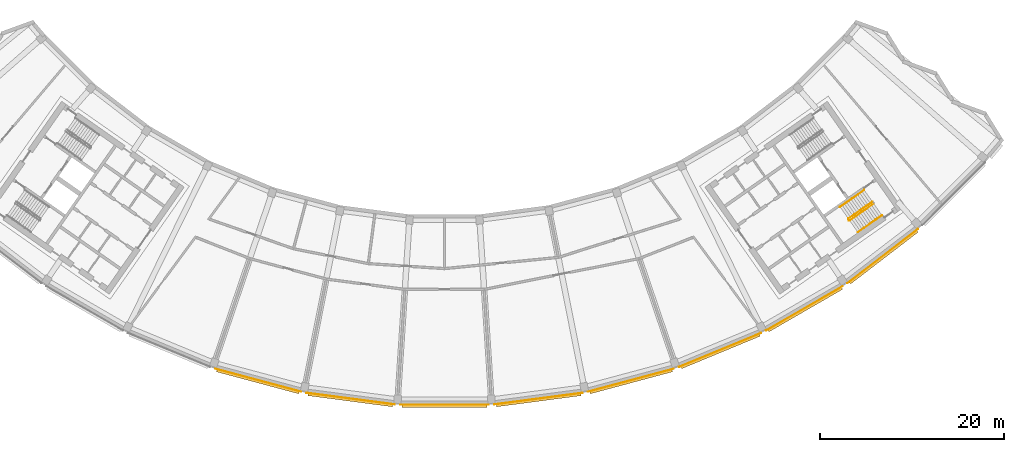
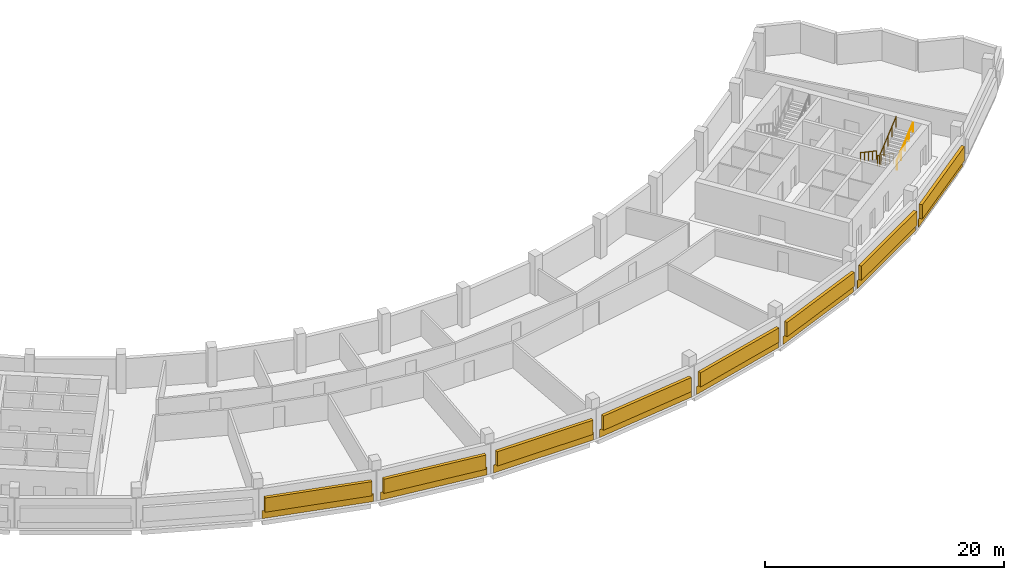
# One storey, part 10 of 11: 8 coverings, 8 shading devices, 4 railings.
"""IFC4 building model written with IfcOpenShell, lengths in metres."""

import ifcopenshell
import ifcopenshell.guid

model = None  # the IFC model being written
_history = None  # IfcOwnerHistory: only IFC2X3 demands one
_inside = {}  # id of a spatial element -> (the spatial element, [elements in it])
_under = {}  # id of a project, library or spatial element -> (it, [spatial elements below it])
_declared = {}  # id of a project -> (the project, [libraries it declares])
_typed = {}  # id of a type object -> (the type object, [elements of that type])
_made_of = {}  # id of a material, layer set ... -> (it, [elements and type objects made of it])


def new_model(schema):
    """Start an empty IFC model of exactly this schema.

    Asked for "IFC4X3", IfcOpenShell would pick the latest addendum, in which some entities
    have other attributes; the version numbers below select the first issue.
    IFC2X3 requires an IfcOwnerHistory on every rooted entity: one is made here for all.
    """
    global model, _history
    if schema == "IFC4X3":
        model = ifcopenshell.file(schema_version=(4, 3, 0, 0))
    else:
        model = ifcopenshell.file(schema=schema)
    _inside.clear()
    _under.clear()
    _declared.clear()
    _typed.clear()
    _made_of.clear()
    _history = None
    if model.schema == "IFC2X3":
        org = make("IfcOrganization", Name="unknown")
        user = make(
            "IfcPersonAndOrganization",
            ThePerson=make("IfcPerson", FamilyName="unknown"),
            TheOrganization=org,
        )
        app = make(
            "IfcApplication",
            ApplicationDeveloper=org,
            Version="unknown",
            ApplicationFullName="unknown",
            ApplicationIdentifier="unknown",
        )
        _history = make(
            "IfcOwnerHistory",
            OwningUser=user,
            OwningApplication=app,
            ChangeAction="ADDED",
            CreationDate=0,
        )
    return model


def make(cls, **values):
    """One entity of the class cls with the attributes given. An attribute that is None is left unset."""
    return model.create_entity(
        cls, **{name: value for name, value in values.items() if value is not None}
    )


def rooted(cls, **values):
    """An entity with a GlobalId (a new one), such as an element, a storey or a relation."""
    return make(cls, GlobalId=ifcopenshell.guid.new(), OwnerHistory=_history, **values)


def si_unit(unit_type, name, prefix=None):
    """IfcSIUnit, for example si_unit("LENGTHUNIT", "METRE", prefix="MILLI")."""
    return make("IfcSIUnit", UnitType=unit_type, Prefix=prefix, Name=name)


def assignment(units):
    """IfcUnitAssignment: the units of a project."""
    return None if units is None else make("IfcUnitAssignment", Units=units)


def point(xyz):
    """IfcCartesianPoint."""
    return None if xyz is None else make("IfcCartesianPoint", Coordinates=xyz)


def direction(xyz):
    """IfcDirection."""
    return None if xyz is None else make("IfcDirection", DirectionRatios=xyz)


def frame(location, z_axis=None, x_axis=None):
    """IfcAxis2Placement3D, a coordinate frame: its origin and axes. An axis left out is left unset."""
    return make(
        "IfcAxis2Placement3D",
        Location=point(location),
        Axis=direction(z_axis),
        RefDirection=direction(x_axis),
    )


def frame_2d(location, x_axis=None):
    """IfcAxis2Placement2D, a coordinate frame in the plane: its origin and x axis."""
    return make(
        "IfcAxis2Placement2D", Location=point(location), RefDirection=direction(x_axis)
    )


def origin():
    """The frame at (0, 0, 0) with its axes left unset."""
    return frame((0.0, 0.0, 0.0))


def origin_2d():
    """The frame at (0, 0) in the plane with its x axis left unset."""
    return frame_2d((0.0, 0.0))


def place(relative_to, where):
    """IfcLocalPlacement: puts the frame where relative to a parent placement (None: the world)."""
    return make(
        "IfcLocalPlacement", PlacementRelTo=relative_to, RelativePlacement=where
    )


def context(
    kind, dimensions, precision=None, world=None, true_north=None, identifier=None
):
    """IfcGeometricRepresentationContext, for example the 3D "Model" context."""
    return make(
        "IfcGeometricRepresentationContext",
        ContextIdentifier=identifier,
        ContextType=kind,
        CoordinateSpaceDimension=dimensions,
        Precision=precision,
        WorldCoordinateSystem=world,
        TrueNorth=true_north,
    )


def subcontext(parent, identifier, kind, view, scale=None):
    """IfcGeometricRepresentationSubContext, for example "Body" below "Model"."""
    return make(
        "IfcGeometricRepresentationSubContext",
        ContextIdentifier=identifier,
        ContextType=kind,
        ParentContext=parent,
        TargetScale=scale,
        TargetView=view,
    )


def project(units=None, contexts=None):
    """IfcProject with its units and contexts."""
    return rooted(
        "IfcProject",
        Name="project",
        RepresentationContexts=contexts,
        UnitsInContext=assignment(units),
    )


def spatial(cls, under=None, at=None, **own):
    """A site, building, storey or space (cls), placed at a placement, below another one or the project."""
    s = rooted(cls, ObjectPlacement=at, **own)
    if under is not None:
        _under.setdefault(under.id(), (under, []))[1].append(s)
    return s


def profile(cls, at=None, kind="AREA", **sizes):
    """A parametric profile (cls). Its sizes go by their IFC names, for example OverallWidth=200.0."""
    return make(cls, ProfileType=kind, Position=at, **sizes)


def rectangle(**sizes):
    """IfcRectangleProfileDef."""
    return profile("IfcRectangleProfileDef", **sizes)


def circle(**sizes):
    """IfcCircleProfileDef."""
    return profile("IfcCircleProfileDef", **sizes)


def extrude(swept, where, along, depth):
    """IfcExtrudedAreaSolid: the profile swept, set in the frame where, extruded along a direction by depth."""
    return make(
        "IfcExtrudedAreaSolid",
        SweptArea=swept,
        Position=where,
        ExtrudedDirection=direction(along),
        Depth=depth,
    )


def shape(context_of_items, identifier, shape_type, items):
    """IfcShapeRepresentation: the items that make up one representation, for example the "Body"."""
    return make(
        "IfcShapeRepresentation",
        ContextOfItems=context_of_items,
        RepresentationIdentifier=identifier,
        RepresentationType=shape_type,
        Items=items,
    )


def material(Name=None, Category=None):
    """IfcMaterial."""
    return make("IfcMaterial", Name=Name, Category=Category)


def layer(
    of_material, thickness, ventilated=None, Name=None, Category=None, Priority=None
):
    """IfcMaterialLayer: one layer of a wall or slab, of a material (None: an air gap)."""
    return make(
        "IfcMaterialLayer",
        Material=of_material,
        LayerThickness=thickness,
        IsVentilated=ventilated,
        Name=Name,
        Category=Category,
        Priority=Priority,
    )


def layer_set(layers, Name=None):
    """IfcMaterialLayerSet."""
    return make("IfcMaterialLayerSet", MaterialLayers=layers, LayerSetName=Name)


def made_of(thing, what):
    """Note that an element or type object is made of a material, layer set ...; save() writes the relation."""
    if what is not None:
        _made_of.setdefault(what.id(), (what, []))[1].append(thing)
    return thing


def type_object(cls, material=None, **own):
    """A type object (cls), such as IfcWallType, which elements share."""
    return made_of(rooted(cls, **own), material)


def element(
    cls,
    number,
    at=None,
    inside=None,
    cuts=None,
    type_object=None,
    material=None,
    context=None,
    identifier="Body",
    shape_type=None,
    held_by="IfcProductDefinitionShape",
    body=None,
    shapes=None,
    **own,
):
    """One element of the class cls, such as IfcWall. Its Tag is "e" and its number.

    at: its placement. inside: the storey or other place that contains it. cuts: it is an
    opening in that element (IfcRelVoidsElement). A single representation is given by context,
    identifier, shape_type and body (its items); several are given by shapes. held_by: the class
    of the entity that holds the representations. save() writes the other relations.
    """
    e = rooted(cls, Tag="e%d" % number, ObjectPlacement=at, **own)
    if body is not None:
        shapes = [shape(context, identifier, shape_type, body)]
    if shapes is not None:
        e.Representation = make(held_by, Representations=shapes)
    if inside is not None:
        _inside.setdefault(inside.id(), (inside, []))[1].append(e)
    if cuts is not None:
        rooted(
            "IfcRelVoidsElement", RelatingBuildingElement=cuts, RelatedOpeningElement=e
        )
    if type_object is not None:
        _typed.setdefault(type_object.id(), (type_object, []))[1].append(e)
    return made_of(e, material)


def aggregate(whole, parts):
    """IfcRelAggregates: a whole, such as a stair, and the parts it consists of."""
    return rooted("IfcRelAggregates", RelatingObject=whole, RelatedObjects=parts)


def save(model, path):
    """Write the relations noted so far, then the file.

    IfcRelAggregates (storeys below a building ...), IfcRelContainedInSpatialStructure (elements
    in a storey), IfcRelDefinesByType, IfcRelAssociatesMaterial and IfcRelDeclares: one each for
    every whole, place, type object, material and project.
    """
    for whole, parts in _under.values():
        aggregate(whole, parts)
    for where, things in _inside.values():
        rooted(
            "IfcRelContainedInSpatialStructure",
            RelatedElements=things,
            RelatingStructure=where,
        )
    for kind, things in _typed.values():
        rooted("IfcRelDefinesByType", RelatedObjects=things, RelatingType=kind)
    for what, things in _made_of.values():
        rooted("IfcRelAssociatesMaterial", RelatedObjects=things, RelatingMaterial=what)
    for by, libraries in _declared.values():
        rooted("IfcRelDeclares", RelatingContext=by, RelatedDefinitions=libraries)
    model.write(path)


model = new_model("IFC4")

# Units and contexts
model_context = context("Model", 3, precision=1e-05, world=origin(), true_north=direction((0.0, 1.0)))
body_context = subcontext(model_context, "Body", "Model", "MODEL_VIEW")
ifc_project = project(units=[si_unit("LENGTHUNIT", "METRE"), si_unit("AREAUNIT", "SQUARE_METRE"), si_unit("VOLUMEUNIT", "CUBIC_METRE"), si_unit("PLANEANGLEUNIT", "RADIAN"), si_unit("MASSUNIT", "GRAM", prefix="KILO")], contexts=[model_context])

# Site, building, storey
site_placement = place(None, origin())
site = spatial("IfcSite", under=ifc_project, at=site_placement, CompositionType="ELEMENT")
building_placement = place(site_placement, origin())
building = spatial("IfcBuilding", under=site, at=building_placement, Name="Qamariyya Broadcast Tower", CompositionType="ELEMENT")
storey_placement = place(building_placement, frame((0.0, 0.0, 314.699951171875)))
storey = spatial("IfcBuildingStorey", under=building, at=storey_placement, Name="L76", CompositionType="ELEMENT", Elevation=314.699951171875)

# Railings
ifc_material_1 = material(Name="Painted steel", Category="steel")
railing_type_1 = type_object("IfcRailingType", Name="Stair guard", PredefinedType="GUARDRAIL", material=ifc_material_1)
railing_1_placement = place(storey_placement, frame((46.48095703125, -56.14306640625, 0.166748046875)))
element("IfcRailing", 1, at=railing_1_placement, inside=storey, type_object=railing_type_1, Name="L76 ST-E1 stair guard 1", PredefinedType="GUARDRAIL", context=body_context, shape_type="SweptSolid", body=[
    extrude(circle(Radius=0.02392578125, at=origin_2d()), frame((0.0, 0.0, 1.076171875), z_axis=(-0.710227693972, -0.497285465629, 0.498280832854), x_axis=(0.573559936391, -0.819163597438, 0.0)), (0.0, 0.0, 1.0), 3.67919921875),
    extrude(circle(Radius=0.02392578125, at=origin_2d()), frame((-2.613037109375, -1.82958984375, 2.9091796875), z_axis=(-0.176149252506, -0.984363469884, 0.0), x_axis=(0.984363469884, -0.176149252506, 0.0)), (0.0, 0.0, 1.0), 0.07080078125),
    extrude(circle(Radius=0.02392578125, at=origin_2d()), frame((-2.62548828125, -1.899169921875, 2.9091796875), z_axis=(0.57368046593, -0.819079192149, 0.0), x_axis=(0.819079192149, 0.57368046593, 0.0)), (0.0, 0.0, 1.0), 0.150146484375),
    extrude(circle(Radius=0.02099609375, at=origin_2d()), origin(), (0.0, 0.0, 1.0), 1.052001953125),
    extrude(circle(Radius=0.02099609375, at=origin_2d()), frame((-0.6533203125, -0.45751953125, 0.458251953125)), (0.0, 0.0, 1.0), 1.052001953125),
    extrude(circle(Radius=0.02099609375, at=origin_2d()), frame((-1.306640625, -0.914794921875, 0.91650390625)), (0.0, 0.0, 1.0), 1.052001953125),
    extrude(circle(Radius=0.02099609375, at=origin_2d()), frame((-1.959716796875, -1.3720703125, 1.375)), (0.0, 0.0, 1.0), 1.052001953125),
    extrude(circle(Radius=0.02099609375, at=origin_2d()), frame((-2.613037109375, -1.82958984375, 1.833251953125)), (0.0, 0.0, 1.0), 1.052001953125),
    extrude(circle(Radius=0.02099609375, at=origin_2d()), frame((-2.62548828125, -1.899169921875, 1.833251953125)), (0.0, 0.0, 1.0), 1.052001953125),
    extrude(circle(Radius=0.02099609375, at=origin_2d()), frame((-2.539306640625, -2.022216796875, 1.833251953125)), (0.0, 0.0, 1.0), 1.052001953125),
])
railing_2_placement = place(storey_placement, frame((44.01123046875, -58.177490234375, 2.166748046875)))
element("IfcRailing", 2, at=railing_2_placement, inside=storey, type_object=railing_type_1, Name="L76 ST-E1 stair guard 2", PredefinedType="GUARDRAIL", context=body_context, shape_type="SweptSolid", body=[
    extrude(circle(Radius=0.02392578125, at=origin_2d()), frame((0.0, 0.0, 1.076171875), z_axis=(0.710204256923, 0.497335411159, 0.498264389913), x_axis=(-0.573611290809, 0.819127637829, 0.0)), (0.0, 0.0, 1.0), 3.67919921875),
    extrude(circle(Radius=0.02099609375, at=origin_2d()), origin(), (0.0, 0.0, 1.0), 1.052001953125),
    extrude(circle(Radius=0.02099609375, at=origin_2d()), frame((0.6533203125, 0.45751953125, 0.458251953125)), (0.0, 0.0, 1.0), 1.052001953125),
    extrude(circle(Radius=0.02099609375, at=origin_2d()), frame((1.306640625, 0.9150390625, 0.91650390625)), (0.0, 0.0, 1.0), 1.052001953125),
    extrude(circle(Radius=0.02099609375, at=origin_2d()), frame((1.959716796875, 1.372314453125, 1.375)), (0.0, 0.0, 1.0), 1.052001953125),
    extrude(circle(Radius=0.02099609375, at=origin_2d()), frame((2.613037109375, 1.829833984375, 1.833251953125)), (0.0, 0.0, 1.0), 1.052001953125),
])
ifc_material_2 = material(Name="Stainless steel", Category="steel")
railing_type_2 = type_object("IfcRailingType", Name="Stair handrail", PredefinedType="HANDRAIL", material=ifc_material_2)
railing_3_placement = place(storey_placement, frame((45.591796875, -54.873291015625, 0.166748046875)))
element("IfcRailing", 3, at=railing_3_placement, inside=storey, type_object=railing_type_2, Name="L76 ST-E1 stair handrail 1", PredefinedType="HANDRAIL", context=body_context, shape_type="SweptSolid", body=[
    extrude(circle(Radius=0.02392578125, at=origin_2d()), frame((0.0, 0.0, 0.8759765625), z_axis=(-0.710227693972, -0.497285465629, 0.498280832854), x_axis=(0.573559936391, -0.819163597438, 0.0)), (0.0, 0.0, 1.0), 3.67919921875),
    extrude(circle(Radius=0.02099609375, at=origin_2d()), origin(), (0.0, 0.0, 1.0), 0.851806640625),
    extrude(circle(Radius=0.02099609375, at=origin_2d()), frame((-0.6533203125, -0.45751953125, 0.458251953125)), (0.0, 0.0, 1.0), 0.851806640625),
    extrude(circle(Radius=0.02099609375, at=origin_2d()), frame((-1.306640625, -0.914794921875, 0.91650390625)), (0.0, 0.0, 1.0), 0.851806640625),
    extrude(circle(Radius=0.02099609375, at=origin_2d()), frame((-1.959716796875, -1.3720703125, 1.375)), (0.0, 0.0, 1.0), 0.851806640625),
    extrude(circle(Radius=0.02099609375, at=origin_2d()), frame((-2.613037109375, -1.82958984375, 1.833251953125)), (0.0, 0.0, 1.0), 0.851806640625),
])
railing_4_placement = place(storey_placement, frame((44.900390625, -59.447265625, 2.166748046875)))
element("IfcRailing", 4, at=railing_4_placement, inside=storey, type_object=railing_type_2, Name="L76 ST-E1 stair handrail 2", PredefinedType="HANDRAIL", context=body_context, shape_type="SweptSolid", body=[
    extrude(circle(Radius=0.02392578125, at=origin_2d()), frame((0.0, 0.0, 0.8759765625), z_axis=(0.710204256923, 0.497335411159, 0.498264389913), x_axis=(-0.573611290809, 0.819127637829, 0.0)), (0.0, 0.0, 1.0), 3.67919921875),
    extrude(circle(Radius=0.02099609375, at=origin_2d()), origin(), (0.0, 0.0, 1.0), 0.851806640625),
    extrude(circle(Radius=0.02099609375, at=origin_2d()), frame((0.6533203125, 0.45751953125, 0.458251953125)), (0.0, 0.0, 1.0), 0.851806640625),
    extrude(circle(Radius=0.02099609375, at=origin_2d()), frame((1.306640625, 0.9150390625, 0.91650390625)), (0.0, 0.0, 1.0), 0.851806640625),
    extrude(circle(Radius=0.02099609375, at=origin_2d()), frame((1.959716796875, 1.372314453125, 1.375)), (0.0, 0.0, 1.0), 0.851806640625),
    extrude(circle(Radius=0.02099609375, at=origin_2d()), frame((2.613037109375, 1.829833984375, 1.833251953125)), (0.0, 0.0, 1.0), 0.851806640625),
])

# Coverings
ifc_material_3 = material(Name="Glazed terracotta", Category="masonry")
ifc_layer = layer(ifc_material_3, 0.030029296875)
ifc_layer_set = layer_set([ifc_layer], Name="Terracotta cladding panel 30, crown band")
covering_type = type_object("IfcCoveringType", Name="Terracotta cladding panel 30, crown band", PredefinedType="CLADDING", material=ifc_layer_set)
for number, where, z_axis, x_axis, name in (
    (5, (-20.239013671875, -75.53271484375, 0.0), (0.0, 0.0, 1.0), (0.965925826289, -0.258819045103, 0.0), "e-cl-L76-05"),
    (6, (-10.206787109375, -77.5283203125, 0.0), (0.0, 0.0, 1.0), (0.991444861374, -0.13052619222, 0.0), "e-cl-L76-06"),
    (7, (0.0, -78.197265625, 0.0), (0.0, 0.0, 1.0), (1.0, 0.0, 0.0), "e-cl-L76-07"),
    (8, (10.206787109375, -77.5283203125, 0.0), (0.0, 0.0, 1.0), (0.991444861374, 0.13052619222, 0.0), "e-cl-L76-08"),
    (9, (20.239013671875, -75.53271484375, 0.0), (0.0, 0.0, 1.0), (0.965925826289, 0.258819045103, 0.0), "e-cl-L76-09"),
    (10, (29.9248046875, -72.244873046875, 0.0), (0.0, 0.0, 1.0), (0.923879532511, 0.382683432365, 0.0), "e-cl-L76-10"),
    (11, (39.0986328125, -67.720703125, 0.0), (0.0, 0.0, 1.0), (0.866025403784, 0.5, 0.0), "e-cl-L76-11"),
    (12, (47.603515625, -62.0380859375, 0.0), (0.0, 0.0, 1.0), (0.793353340291, 0.608761429009, 0.0), "e-cl-L76-12"),
):
    element("IfcCovering", number, at=place(storey_placement, frame(where, z_axis=z_axis, x_axis=x_axis)), inside=storey, type_object=covering_type, Name=name, PredefinedType="CLADDING", context=body_context, shape_type="SweptSolid", body=[
        extrude(rectangle(XDim=9.648681640625, YDim=0.030029296875, at=origin_2d()), origin(), (0.0, 0.0, 1.0), 0.800048828125),
    ])

# Shading devices
shading_device_type = type_object("IfcShadingDeviceType", Name="Terracotta louvre bank", PredefinedType="USERDEFINED", material=ifc_material_3)
for number, where, z_axis, x_axis, name in (
    (13, (-20.27392578125, -75.6630859375, 0.80029296875), (0.0, 0.0, 1.0), (0.965925826289, -0.258819045103, 0.0), "e-lv-L76-05"),
    (14, (-10.224365234375, -77.662109375, 0.80029296875), (0.0, 0.0, 1.0), (0.991444861374, -0.13052619222, 0.0), "e-lv-L76-06"),
    (15, (0.0, -78.332275390625, 0.80029296875), (0.0, 0.0, 1.0), (1.0, 0.0, 0.0), "e-lv-L76-07"),
    (16, (10.224365234375, -77.662109375, 0.80029296875), (0.0, 0.0, 1.0), (0.991444861374, 0.13052619222, 0.0), "e-lv-L76-08"),
    (17, (20.27392578125, -75.6630859375, 0.80029296875), (0.0, 0.0, 1.0), (0.965925826289, 0.258819045103, 0.0), "e-lv-L76-09"),
    (18, (29.9765625, -72.36962890625, 0.80029296875), (0.0, 0.0, 1.0), (0.923879532511, 0.382683432365, 0.0), "e-lv-L76-10"),
    (19, (39.166015625, -67.837646484375, 0.80029296875), (0.0, 0.0, 1.0), (0.866025403784, 0.5, 0.0), "e-lv-L76-11"),
    (20, (47.685546875, -62.145263671875, 0.80029296875), (0.0, 0.0, 1.0), (0.793353340291, 0.608761429009, 0.0), "e-lv-L76-12"),
):
    element("IfcShadingDevice", number, at=place(storey_placement, frame(where, z_axis=z_axis, x_axis=x_axis)), inside=storey, type_object=shading_device_type, Name=name, ObjectType="LOUVRE", PredefinedType="USERDEFINED", context=body_context, shape_type="SweptSolid", body=[
        extrude(rectangle(XDim=9.248779296875, YDim=0.300048828125, at=origin_2d()), origin(), (0.0, 0.0, 1.0), 1.449951171875),
    ])

save(model, "model.ifc")
